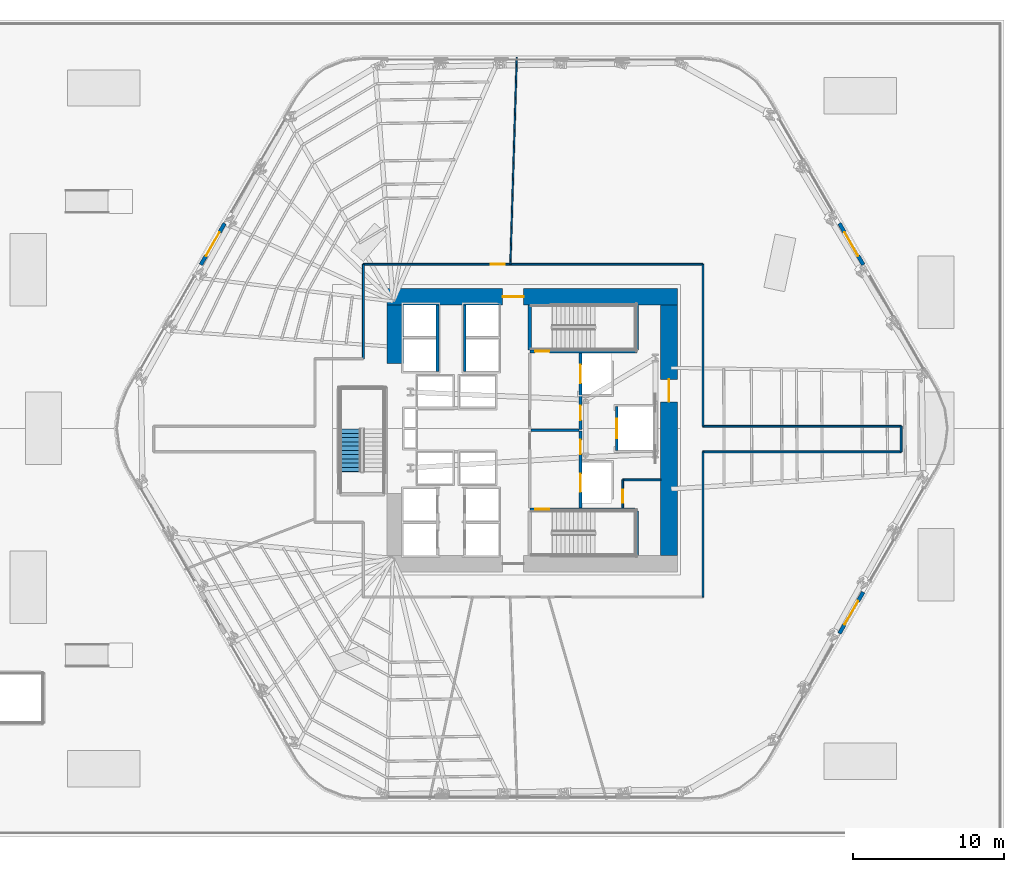
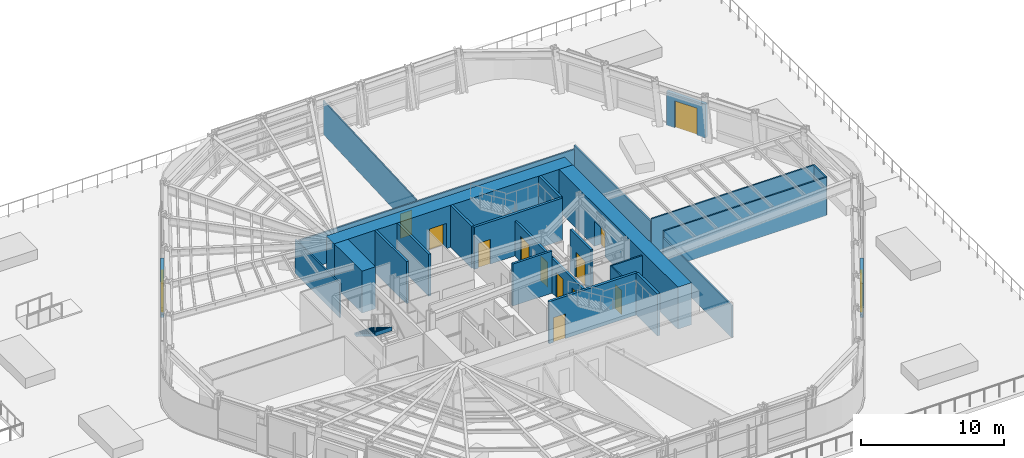
# One storey, part 9 of 18: 27 walls, 14 doors, 1 stair flight, 14 openings, 1 element without a shape of its own.
"""IFC4 building model written with IfcOpenShell, lengths in metres."""

from ifc_helpers import new_model, si_unit, direction, frame, frame_2d, origin, place, context, subcontext, project, spatial, polyline, rectangle, outline, extrude, material, layer, layer_set, type_object, element, fill, aggregate, save


model = new_model("IFC4")

# Units and contexts
model_context = context("Model", 3, precision=1e-05, world=origin(), true_north=direction((0.0, 1.0)))
body_context = subcontext(model_context, "Body", "Model", "MODEL_VIEW")
ifc_project = project(units=[si_unit("LENGTHUNIT", "METRE"), si_unit("AREAUNIT", "SQUARE_METRE"), si_unit("VOLUMEUNIT", "CUBIC_METRE"), si_unit("PLANEANGLEUNIT", "RADIAN"), si_unit("MASSUNIT", "GRAM", prefix="KILO")], contexts=[model_context])

# Site, building, storey
site_placement = place(None, origin())
site = spatial("IfcSite", under=ifc_project, at=site_placement, CompositionType="ELEMENT")
building_placement = place(site_placement, origin())
building = spatial("IfcBuilding", under=site, at=building_placement, Name="Valkerne Bourse Tower", CompositionType="ELEMENT")
storey_placement = place(building_placement, frame((0.0, 0.0, 24.0)))
storey = spatial("IfcBuildingStorey", under=building, at=storey_placement, Name="L05", CompositionType="ELEMENT", Elevation=24.0)

# Wall, opening, door
ifc_material_1 = material(Name="Concrete C70/85", Category="concrete")
ifc_layer_1 = layer(ifc_material_1, 1.10009765625)
ifc_layer_set_1 = layer_set([ifc_layer_1], Name="Concrete C70/85")
wall_type_1 = type_object("IfcWallType", Name="W-CORE-1100", PredefinedType="SHEAR", material=ifc_layer_set_1)
wall_1_placement = place(storey_placement, frame((37.199951171875, 35.699951171875, 0.0), z_axis=(0.0, 0.0, 1.0), x_axis=(1.0, 0.0, 0.0)))
wall_1 = element("IfcWall", 1, at=wall_1_placement, inside=storey, type_object=wall_type_1, Name="L05 Core Shear Wall NORTH", PredefinedType="SHEAR", context=body_context, shape_type="SweptSolid", body=[
    extrude(rectangle(XDim=19.199951171875, YDim=1.10009765625, at=frame_2d((9.60009765625, 0.0))), origin(), (0.0, 0.0, 1.0), 3.580078125),
])
opening_1_placement = place(wall_1_placement, frame((7.64990234375, 0.0, 0.0)))
opening_1 = element("IfcOpeningElement", 2, at=opening_1_placement, cuts=wall_1, Name="Opening D-PL-1400", PredefinedType="OPENING", context=body_context, shape_type="SweptSolid", body=[
    extrude(rectangle(XDim=1.39990234375, YDim=2.14990234375, at=frame_2d((0.699951171875, 1.074951171875))), frame((0.0, 0.56005859375, 0.0), z_axis=(0.0, -1.0, 0.0), x_axis=(1.0, 0.0, 0.0)), (0.0, 0.0, 1.0), 1.1201171875),
])
ifc_material_2 = material(Name="Galvanised Painted Steel", Category="steel")
door_type_1 = type_object("IfcDoorType", Name="DR-PLT-1400", OperationType="DOUBLE_DOOR_SINGLE_SWING", PredefinedType="DOOR", material=ifc_material_2)
door_1_placement = place(opening_1_placement, origin())
door_1 = element("IfcDoor", 3, at=door_1_placement, inside=storey, type_object=door_type_1, Name="L05 North Passenger Lift Hall Fire Door", OperationType="DOUBLE_DOOR_SINGLE_SWING", OverallHeight=2.14990234375, OverallWidth=1.39990234375, PredefinedType="DOOR", context=body_context, shape_type="SweptSolid", body=[
    extrude(rectangle(XDim=1.39990234375, YDim=2.14990234375, at=frame_2d((0.699951171875, 1.074951171875))), frame((0.0, 0.02490234375, 0.0), z_axis=(0.0, -1.0, 0.0), x_axis=(1.0, 0.0, 0.0)), (0.0, 0.0, 1.0), 0.050048828125),
])
fill(opening_1, door_1)

wall_2_placement = place(storey_placement, frame((55.85009765625, 18.60009765625, 0.0), z_axis=(0.0, 0.0, 1.0), x_axis=(0.0, 1.0, 0.0)))
wall_2 = element("IfcWall", 4, at=wall_2_placement, inside=storey, type_object=wall_type_1, Name="L05 Core Shear Wall EAST", PredefinedType="SHEAR", context=body_context, shape_type="SweptSolid", body=[
    extrude(rectangle(XDim=16.5498046875, YDim=1.10009765625, at=frame_2d((8.27490234375, 0.0))), origin(), (0.0, 0.0, 1.0), 3.580078125),
])
opening_2_placement = place(wall_2_placement, frame((10.14990234375, 0.0, 0.0)))
opening_2 = element("IfcOpeningElement", 5, at=opening_2_placement, cuts=wall_2, Name="Opening D-CR-1500", PredefinedType="OPENING", context=body_context, shape_type="SweptSolid", body=[
    extrude(rectangle(XDim=1.5, YDim=2.14990234375, at=frame_2d((0.75, 1.074951171875))), frame((0.0, 0.56005859375, 0.0), z_axis=(0.0, -1.0, 0.0), x_axis=(1.0, 0.0, 0.0)), (0.0, 0.0, 1.0), 1.1201171875),
])
door_type_2 = type_object("IfcDoorType", Name="DR-CORR-1500", OperationType="DOUBLE_DOOR_SINGLE_SWING", PredefinedType="DOOR", material=ifc_material_2)
door_2_placement = place(opening_2_placement, origin())
door_2 = element("IfcDoor", 6, at=door_2_placement, inside=storey, type_object=door_type_2, Name="L05 East Core Service Lobby Fire Door", OperationType="DOUBLE_DOOR_SINGLE_SWING", OverallHeight=2.14990234375, OverallWidth=1.5, PredefinedType="DOOR", context=body_context, shape_type="SweptSolid", body=[
    extrude(rectangle(XDim=1.5, YDim=2.14990234375, at=frame_2d((0.75, 1.074951171875))), frame((0.0, 0.02490234375, 0.0), z_axis=(0.0, -1.0, 0.0), x_axis=(1.0, 0.0, 0.0)), (0.0, 0.0, 1.0), 0.050048828125),
])
fill(opening_2, door_2)

# Wall
wall_3_placement = place(storey_placement, frame((37.75, 31.300048828125, 0.0), z_axis=(0.0, 0.0, 1.0), x_axis=(0.0, 1.0, 0.0)))
element("IfcWall", 7, at=wall_3_placement, inside=storey, type_object=wall_type_1, Name="L05 Core Shear Wall WEST-N", PredefinedType="SHEAR", context=body_context, shape_type="SweptSolid", body=[
    extrude(rectangle(XDim=3.849853515625, YDim=1.10009765625, at=frame_2d((1.9248046875, 0.0))), origin(), (0.0, 0.0, 1.0), 3.580078125),
])

# Wall, opening, door
ifc_material_3 = material(Name="Gypsum Board Steel-Stud Partition", Category="steel")
ifc_layer_2 = layer(ifc_material_3, 0.117919921875)
ifc_layer_set_2 = layer_set([ifc_layer_2], Name="Gypsum Board Steel-Stud Partition")
wall_type_2 = type_object("IfcWallType", Name="W-CORR-140", PredefinedType="PARTITIONING", material=ifc_layer_set_2)
wall_4_placement = place(storey_placement, frame((52.800048828125, 21.75, 0.0), z_axis=(0.0, 0.0, 1.0), x_axis=(0.0, 1.0, 0.0)))
wall_4 = element("IfcWall", 8, at=wall_4_placement, inside=storey, type_object=wall_type_2, Name="L05 Core SE South-Bay West Wall", PredefinedType="PARTITIONING", context=body_context, shape_type="SweptSolid", body=[
    extrude(rectangle(XDim=1.85009765625, YDim=0.117919921875, at=frame_2d((0.925048828125, 0.0))), origin(), (0.0, 0.0, 1.0), 3.280029296875),
])
opening_3_placement = place(wall_4_placement, frame((0.35009765625, 0.0, 0.0)))
opening_3 = element("IfcOpeningElement", 9, at=opening_3_placement, cuts=wall_4, Name="Opening D-WC-900", PredefinedType="OPENING", context=body_context, shape_type="SweptSolid", body=[
    extrude(rectangle(XDim=0.860107421875, YDim=2.050048828125, at=frame_2d((0.43017578125, 1.02490234375))), frame((0.0, 0.06884765625, 0.0), z_axis=(0.0, -1.0, 0.0), x_axis=(1.0, 0.0, 0.0)), (0.0, 0.0, 1.0), 0.137939453125),
])
ifc_material_4 = material(Name="Architectural White Oak Timber", Category="wood")
door_type_3 = type_object("IfcDoorType", Name="DR-WC-900", OperationType="NOTDEFINED", PredefinedType="DOOR", material=ifc_material_4)
door_3_placement = place(opening_3_placement, origin())
door_3 = element("IfcDoor", 10, at=door_3_placement, inside=storey, type_object=door_type_3, Name="L05 Janitor Store Door", OperationType="SINGLE_SWING_RIGHT", OverallHeight=2.050048828125, OverallWidth=0.860107421875, PredefinedType="DOOR", context=body_context, shape_type="SweptSolid", body=[
    extrude(rectangle(XDim=0.860107421875, YDim=2.050048828125, at=frame_2d((0.43017578125, 1.02490234375))), frame((0.0, 0.02490234375, 0.0), z_axis=(0.0, -1.0, 0.0), x_axis=(1.0, 0.0, 0.0)), (0.0, 0.0, 1.0), 0.050048828125),
])
fill(opening_3, door_3)

# Walls
wall_5_placement = place(storey_placement, frame((52.800048828125, 23.60009765625, 0.0), z_axis=(0.0, 0.0, 1.0), x_axis=(1.0, 0.0, 0.0)))
element("IfcWall", 11, at=wall_5_placement, inside=storey, type_object=wall_type_2, Name="L05 Core SE South-Bay North Wall", PredefinedType="PARTITIONING", context=body_context, shape_type="SweptSolid", body=[
    extrude(rectangle(XDim=2.52001953125, YDim=0.117919921875, at=frame_2d((1.260009765625, 0.0))), origin(), (0.0, 0.0, 1.0), 3.280029296875),
])
wall_6_placement = place(storey_placement, frame((58.10009765625, 27.14990234375, 0.0), z_axis=(0.0, 0.0, 1.0), x_axis=(1.0, 0.0, 0.0)))
element("IfcWall", 12, at=wall_6_placement, inside=storey, type_object=wall_type_2, Name="L05 Corridor Enclosure Wall", PredefinedType="PARTITIONING", context=body_context, shape_type="SweptSolid", body=[
    extrude(rectangle(XDim=13.099853515625, YDim=0.117919921875, at=frame_2d((6.5498046875, 0.0))), origin(), (0.0, 0.0, 1.0), 3.260009765625),
])
wall_7_placement = place(storey_placement, frame((71.199951171875, 27.14990234375, 0.0), z_axis=(0.0, 0.0, 1.0), x_axis=(0.0, -1.0, 0.0)))
element("IfcWall", 13, at=wall_7_placement, inside=storey, type_object=wall_type_2, Name="L05 Corridor Enclosure Wall", PredefinedType="PARTITIONING", context=body_context, shape_type="SweptSolid", body=[
    extrude(rectangle(XDim=1.699951171875, YDim=0.117919921875, at=frame_2d((0.85009765625, 0.0))), origin(), (0.0, 0.0, 1.0), 3.260009765625),
])
wall_8_placement = place(storey_placement, frame((71.199951171875, 25.449951171875, 0.0), z_axis=(0.0, 0.0, 1.0), x_axis=(-1.0, 0.0, 0.0)))
element("IfcWall", 14, at=wall_8_placement, inside=storey, type_object=wall_type_2, Name="L05 Corridor Enclosure Wall", PredefinedType="PARTITIONING", context=body_context, shape_type="SweptSolid", body=[
    extrude(rectangle(XDim=13.099853515625, YDim=0.117919921875, at=frame_2d((6.5498046875, 0.0))), origin(), (0.0, 0.0, 1.0), 3.260009765625),
])
wall_9_placement = place(storey_placement, frame((58.10009765625, 25.449951171875, 0.0), z_axis=(0.0, 0.0, 1.0), x_axis=(0.0, -1.0, 0.0)))
element("IfcWall", 15, at=wall_9_placement, inside=storey, type_object=wall_type_2, Name="L05 Corridor Enclosure Wall", PredefinedType="PARTITIONING", context=body_context, shape_type="SweptSolid", body=[
    extrude(rectangle(XDim=9.599853515625, YDim=0.117919921875, at=frame_2d((4.7998046875, 0.0))), origin(), (0.0, 0.0, 1.0), 2.71142578125),
])
wall_10_placement = place(storey_placement, frame((35.64990234375, 31.60009765625, 0.0), z_axis=(0.0, 0.0, 1.0), x_axis=(0.0, 1.0, 0.0)))
element("IfcWall", 16, at=wall_10_placement, inside=storey, type_object=wall_type_2, Name="L05 Corridor Enclosure Wall", PredefinedType="PARTITIONING", context=body_context, shape_type="SweptSolid", body=[
    extrude(rectangle(XDim=6.25, YDim=0.117919921875, at=frame_2d((3.125, 0.0))), origin(), (0.0, 0.0, 1.0), 2.876708984375),
])

# Wall, opening, door
wall_11_placement = place(storey_placement, frame((35.64990234375, 37.85009765625, 0.0), z_axis=(0.0, 0.0, 1.0), x_axis=(1.0, 0.0, 0.0)))
wall_11 = element("IfcWall", 17, at=wall_11_placement, inside=storey, type_object=wall_type_2, Name="L05 Corridor Enclosure Wall", PredefinedType="PARTITIONING", context=body_context, shape_type="SweptSolid", body=[
    extrude(rectangle(XDim=22.4501953125, YDim=0.117919921875, at=frame_2d((11.22509765625, 0.0))), origin(), (0.0, 0.0, 1.0), 2.71142578125),
])
opening_4_placement = place(wall_11_placement, frame((8.409912109375, 0.0, 0.0)))
opening_4 = element("IfcOpeningElement", 18, at=opening_4_placement, cuts=wall_11, Name="Opening D-OF-950", PredefinedType="OPENING", context=body_context, shape_type="SweptSolid", body=[
    extrude(rectangle(XDim=0.949951171875, YDim=2.10009765625, at=frame_2d((0.47509765625, 1.050048828125))), frame((0.0, 0.06884765625, 0.0), z_axis=(0.0, -1.0, 0.0), x_axis=(1.0, 0.0, 0.0)), (0.0, 0.0, 1.0), 0.137939453125),
])
door_type_4 = type_object("IfcDoorType", Name="DR-OFF-950", OperationType="NOTDEFINED", PredefinedType="DOOR", material=ifc_material_4)
door_4_placement = place(opening_4_placement, origin())
door_4 = element("IfcDoor", 19, at=door_4_placement, inside=storey, type_object=door_type_4, Name="L05 L05 Trading Desk Office 4 Door", OperationType="SINGLE_SWING_RIGHT", OverallHeight=2.10009765625, OverallWidth=0.949951171875, PredefinedType="DOOR", context=body_context, shape_type="SweptSolid", body=[
    extrude(rectangle(XDim=0.949951171875, YDim=2.10009765625, at=frame_2d((0.47509765625, 1.050048828125))), frame((0.0, 0.02490234375, 0.0), z_axis=(0.0, -1.0, 0.0), x_axis=(1.0, 0.0, 0.0)), (0.0, 0.0, 1.0), 0.050048828125),
])
fill(opening_4, door_4)

# Wall
wall_12_placement = place(storey_placement, frame((58.10009765625, 37.85009765625, 0.0), z_axis=(0.0, 0.0, 1.0), x_axis=(0.0, -1.0, 0.0)))
element("IfcWall", 20, at=wall_12_placement, inside=storey, type_object=wall_type_2, Name="L05 Corridor Enclosure Wall", PredefinedType="PARTITIONING", context=body_context, shape_type="SweptSolid", body=[
    extrude(rectangle(XDim=10.7001953125, YDim=0.117919921875, at=frame_2d((5.35009765625, 0.0))), origin(), (0.0, 0.0, 1.0), 3.03662109375),
])

# Wall, opening, door
ifc_material_5 = material(Name="Bronze Anodised Aluminium AA 6063-T6", Category="aluminium")
ifc_layer_3 = layer(ifc_material_5, 0.25)
ifc_layer_set_3 = layer_set([ifc_layer_3], Name="Bronze Anodised Aluminium AA 6063-T6")
wall_type_3 = type_object("IfcWallType", Name="W-EXT-TER-250", PredefinedType="STANDARD", material=ifc_layer_set_3)
wall_13_placement = place(storey_placement, frame((68.69580078125, 37.819580078125, 0.0), z_axis=(0.0, 0.0, 1.0), x_axis=(-0.499974687925, 0.866040017224, 0.0)))
wall_13 = element("IfcWall", 21, at=wall_13_placement, inside=storey, type_object=wall_type_3, Name="L05 Garden Pavilion Access Portal Face 1", PredefinedType="STANDARD", context=body_context, shape_type="SweptSolid", body=[
    extrude(rectangle(XDim=3.156005859375, YDim=0.25, at=frame_2d((1.578125, 0.0))), origin(), (0.0, 0.0, 1.0), 2.867919921875),
])
opening_5_placement = place(wall_13_placement, frame((0.677978515625, 0.0, 0.0)))
opening_5 = element("IfcOpeningElement", 22, at=opening_5_placement, cuts=wall_13, Name="Opening DG-1800", PredefinedType="OPENING", context=body_context, shape_type="SweptSolid", body=[
    extrude(rectangle(XDim=1.800048828125, YDim=2.300048828125, at=frame_2d((0.89990234375, 1.14990234375))), frame((0.0, 0.135009765625, 0.0), z_axis=(0.0, -1.0, 0.0), x_axis=(1.0, 0.0, 0.0)), (0.0, 0.0, 1.0), 0.27001953125),
])
ifc_material_6 = material(Name="Glass IGU Low-E Double Glazed", Category="glass")
door_type_5 = type_object("IfcDoorType", Name="DR-EXT-GDN-1800", OperationType="DOUBLE_DOOR_SINGLE_SWING", PredefinedType="DOOR", material=ifc_material_6)
door_5_placement = place(opening_5_placement, origin())
door_5 = element("IfcDoor", 23, at=door_5_placement, inside=storey, type_object=door_type_5, Name="L05 Raised Public Garden Double Door 1", OperationType="DOUBLE_DOOR_SINGLE_SWING", OverallHeight=2.300048828125, OverallWidth=1.800048828125, PredefinedType="DOOR", context=body_context, shape_type="SweptSolid", body=[
    extrude(rectangle(XDim=1.800048828125, YDim=2.300048828125, at=frame_2d((0.89990234375, 1.14990234375))), frame((0.0, 0.02490234375, 0.0), z_axis=(0.0, -1.0, 0.0), x_axis=(1.0, 0.0, 0.0)), (0.0, 0.0, 1.0), 0.050048828125),
])
fill(opening_5, door_5)

wall_14_placement = place(storey_placement, frame((26.482177734375, 40.552734375, 0.0), z_axis=(0.0, 0.0, 1.0), x_axis=(-0.50003270617, -0.866006520045, 0.0)))
wall_14 = element("IfcWall", 24, at=wall_14_placement, inside=storey, type_object=wall_type_3, Name="L05 Garden Pavilion Access Portal Face 3", PredefinedType="STANDARD", context=body_context, shape_type="SweptSolid", body=[
    extrude(rectangle(XDim=3.156005859375, YDim=0.25, at=frame_2d((1.578125, 0.0))), origin(), (0.0, 0.0, 1.0), 2.867919921875),
])
opening_6_placement = place(wall_14_placement, frame((0.677978515625, 0.0, 0.0)))
opening_6 = element("IfcOpeningElement", 25, at=opening_6_placement, cuts=wall_14, Name="Opening DG-1800", PredefinedType="OPENING", context=body_context, shape_type="SweptSolid", body=[
    extrude(rectangle(XDim=1.800048828125, YDim=2.300048828125, at=frame_2d((0.89990234375, 1.14990234375))), frame((0.0, 0.135009765625, 0.0), z_axis=(0.0, -1.0, 0.0), x_axis=(1.0, 0.0, 0.0)), (0.0, 0.0, 1.0), 0.27001953125),
])
door_6_placement = place(opening_6_placement, origin())
door_6 = element("IfcDoor", 26, at=door_6_placement, inside=storey, type_object=door_type_5, Name="L05 Raised Public Garden Double Door 3", OperationType="DOUBLE_DOOR_SINGLE_SWING", OverallHeight=2.300048828125, OverallWidth=1.800048828125, PredefinedType="DOOR", context=body_context, shape_type="SweptSolid", body=[
    extrude(rectangle(XDim=1.800048828125, YDim=2.300048828125, at=frame_2d((0.89990234375, 1.14990234375))), frame((0.0, 0.02490234375, 0.0), z_axis=(0.0, -1.0, 0.0), x_axis=(1.0, 0.0, 0.0)), (0.0, 0.0, 1.0), 0.050048828125),
])
fill(opening_6, door_6)

wall_15_placement = place(storey_placement, frame((67.117919921875, 13.447265625, 0.0), z_axis=(0.0, 0.0, 1.0), x_axis=(0.499974687925, 0.866040017224, 0.0)))
wall_15 = element("IfcWall", 27, at=wall_15_placement, inside=storey, type_object=wall_type_3, Name="L05 Garden Pavilion Access Portal Face 6", PredefinedType="STANDARD", context=body_context, shape_type="SweptSolid", body=[
    extrude(rectangle(XDim=3.156005859375, YDim=0.25, at=frame_2d((1.578125, 0.0))), origin(), (0.0, 0.0, 1.0), 2.867919921875),
])
opening_7_placement = place(wall_15_placement, frame((0.677978515625, 0.0, 0.0)))
opening_7 = element("IfcOpeningElement", 28, at=opening_7_placement, cuts=wall_15, Name="Opening DG-1800", PredefinedType="OPENING", context=body_context, shape_type="SweptSolid", body=[
    extrude(rectangle(XDim=1.800048828125, YDim=2.300048828125, at=frame_2d((0.89990234375, 1.14990234375))), frame((0.0, 0.135009765625, 0.0), z_axis=(0.0, -1.0, 0.0), x_axis=(1.0, 0.0, 0.0)), (0.0, 0.0, 1.0), 0.27001953125),
])
door_7_placement = place(opening_7_placement, origin())
door_7 = element("IfcDoor", 29, at=door_7_placement, inside=storey, type_object=door_type_5, Name="L05 Raised Public Garden Double Door 6", OperationType="DOUBLE_DOOR_SINGLE_SWING", OverallHeight=2.300048828125, OverallWidth=1.800048828125, PredefinedType="DOOR", context=body_context, shape_type="SweptSolid", body=[
    extrude(rectangle(XDim=1.800048828125, YDim=2.300048828125, at=frame_2d((0.89990234375, 1.14990234375))), frame((0.0, 0.02490234375, 0.0), z_axis=(0.0, -1.0, 0.0), x_axis=(1.0, 0.0, 0.0)), (0.0, 0.0, 1.0), 0.050048828125),
])
fill(opening_7, door_7)

# Wall
ifc_material_7 = material(Name="Gypsum Fire-Rated Shaftwall", Category="gypsum")
ifc_layer_4 = layer(ifc_material_7, 0.179931640625)
ifc_layer_set_4 = layer_set([ifc_layer_4], Name="Gypsum Fire-Rated Shaftwall")
wall_type_4 = type_object("IfcWallType", Name="W-FSAE-180", PredefinedType="PARTITIONING", material=ifc_layer_set_4)
wall_16_placement = place(storey_placement, frame((46.739990234375, 26.8798828125, 0.0), z_axis=(0.0, 0.0, 1.0), x_axis=(1.0, 0.0, 0.0)))
element("IfcWall", 30, at=wall_16_placement, inside=storey, type_object=wall_type_4, Name="L05 FSAE-1/2 Lobby Dividing Fire Wall", PredefinedType="PARTITIONING", context=body_context, shape_type="SweptSolid", body=[
    extrude(rectangle(XDim=3.169921875, YDim=0.179931640625, at=frame_2d((1.5849609375, 0.0))), origin(), (0.0, 0.0, 1.0), 3.580078125),
])

# Wall, openings, doors
wall_17_placement = place(storey_placement, frame((50.0, 21.75, 0.0), z_axis=(0.0, 0.0, 1.0), x_axis=(0.0, 1.0, 0.0)))
wall_17 = element("IfcWall", 31, at=wall_17_placement, inside=storey, type_object=wall_type_4, Name="L05 FSAE-1 Lobby & Shaft Front Wall", PredefinedType="PARTITIONING", context=body_context, shape_type="SweptSolid", body=[
    extrude(rectangle(XDim=5.090087890625, YDim=0.179931640625, at=frame_2d((2.544921875, 0.0))), origin(), (0.0, 0.0, 1.0), 2.9580078125),
])
opening_8_placement = place(wall_17_placement, frame((1.050048828125, 0.0, 0.0)))
opening_8 = element("IfcOpeningElement", 32, at=opening_8_placement, cuts=wall_17, Name="Opening LD-1200", PredefinedType="OPENING", context=body_context, shape_type="SweptSolid", body=[
    extrude(rectangle(XDim=1.199951171875, YDim=2.14990234375, at=frame_2d((0.60009765625, 1.074951171875))), frame((0.0, 0.099853515625, 0.0), z_axis=(0.0, -1.0, 0.0), x_axis=(1.0, 0.0, 0.0)), (0.0, 0.0, 1.0), 0.199951171875),
])
opening_9_placement = place(wall_17_placement, frame((3.550048828125, 0.0, 0.0)))
opening_9 = element("IfcOpeningElement", 33, at=opening_9_placement, cuts=wall_17, Name="Opening D-FS-950", PredefinedType="OPENING", context=body_context, shape_type="SweptSolid", body=[
    extrude(rectangle(XDim=0.949951171875, YDim=2.10009765625, at=frame_2d((0.47509765625, 1.050048828125))), frame((0.0, 0.099853515625, 0.0), z_axis=(0.0, -1.0, 0.0), x_axis=(1.0, 0.0, 0.0)), (0.0, 0.0, 1.0), 0.199951171875),
])
door_type_6 = type_object("IfcDoorType", Name="DR-FSAE-950", OperationType="NOTDEFINED", PredefinedType="DOOR", material=ifc_material_2)
door_8_placement = place(opening_9_placement, origin())
door_8 = element("IfcDoor", 34, at=door_8_placement, inside=storey, type_object=door_type_6, Name="L05 FSAE-1 Lobby Corridor Fire Door", OperationType="SINGLE_SWING_LEFT", OverallHeight=2.10009765625, OverallWidth=0.949951171875, PredefinedType="DOOR", context=body_context, shape_type="SweptSolid", body=[
    extrude(rectangle(XDim=0.949951171875, YDim=2.10009765625, at=frame_2d((0.47509765625, 1.050048828125))), frame((0.0, 0.02490234375, 0.0), z_axis=(0.0, -1.0, 0.0), x_axis=(1.0, 0.0, 0.0)), (0.0, 0.0, 1.0), 0.050048828125),
])
fill(opening_9, door_8)
ifc_material_8 = material(Name="Stainless Steel AISI 316", Category="steel")
door_type_7 = type_object("IfcDoorType", Name="DR-LIFT-1200", OperationType="DOUBLE_DOOR_SLIDING", PredefinedType="DOOR", material=ifc_material_8)
door_9_placement = place(opening_8_placement, origin())
door_9 = element("IfcDoor", 35, at=door_9_placement, inside=storey, type_object=door_type_7, Name="L05 FSAE-1 Firefighting Lift Landing Door", OperationType="DOUBLE_DOOR_SLIDING", OverallHeight=2.14990234375, OverallWidth=1.199951171875, PredefinedType="DOOR", context=body_context, shape_type="SweptSolid", body=[
    extrude(rectangle(XDim=1.199951171875, YDim=2.14990234375, at=frame_2d((0.60009765625, 1.074951171875))), frame((0.0, 0.02490234375, 0.0), z_axis=(0.0, -1.0, 0.0), x_axis=(1.0, 0.0, 0.0)), (0.0, 0.0, 1.0), 0.050048828125),
])
fill(opening_8, door_9)

wall_18_placement = place(storey_placement, frame((50.0, 26.919921875, 0.0), z_axis=(0.0, 0.0, 1.0), x_axis=(0.0, 1.0, 0.0)))
wall_18 = element("IfcWall", 36, at=wall_18_placement, inside=storey, type_object=wall_type_4, Name="L05 FSAE-2 Lobby & Shaft Front Wall", PredefinedType="PARTITIONING", context=body_context, shape_type="SweptSolid", body=[
    extrude(rectangle(XDim=5.080078125, YDim=0.179931640625, at=frame_2d((2.5400390625, 0.0))), origin(), (0.0, 0.0, 1.0), 2.9580078125),
])
opening_10_placement = place(wall_18_placement, frame((3.080078125, 0.0, 0.0)))
opening_10 = element("IfcOpeningElement", 37, at=opening_10_placement, cuts=wall_18, Name="Opening LD-1200", PredefinedType="OPENING", context=body_context, shape_type="SweptSolid", body=[
    extrude(rectangle(XDim=1.199951171875, YDim=2.14990234375, at=frame_2d((0.60009765625, 1.074951171875))), frame((0.0, 0.099853515625, 0.0), z_axis=(0.0, -1.0, 0.0), x_axis=(1.0, 0.0, 0.0)), (0.0, 0.0, 1.0), 0.199951171875),
])
opening_11_placement = place(wall_18_placement, frame((0.6298828125, 0.0, 0.0)))
opening_11 = element("IfcOpeningElement", 38, at=opening_11_placement, cuts=wall_18, Name="Opening D-FS-950", PredefinedType="OPENING", context=body_context, shape_type="SweptSolid", body=[
    extrude(rectangle(XDim=0.949951171875, YDim=2.10009765625, at=frame_2d((0.47509765625, 1.050048828125))), frame((0.0, 0.099853515625, 0.0), z_axis=(0.0, -1.0, 0.0), x_axis=(1.0, 0.0, 0.0)), (0.0, 0.0, 1.0), 0.199951171875),
])
door_10_placement = place(opening_11_placement, origin())
door_10 = element("IfcDoor", 39, at=door_10_placement, inside=storey, type_object=door_type_6, Name="L05 FSAE-2 Lobby Corridor Fire Door", OperationType="SINGLE_SWING_LEFT", OverallHeight=2.10009765625, OverallWidth=0.949951171875, PredefinedType="DOOR", context=body_context, shape_type="SweptSolid", body=[
    extrude(rectangle(XDim=0.949951171875, YDim=2.10009765625, at=frame_2d((0.47509765625, 1.050048828125))), frame((0.0, 0.02490234375, 0.0), z_axis=(0.0, -1.0, 0.0), x_axis=(1.0, 0.0, 0.0)), (0.0, 0.0, 1.0), 0.050048828125),
])
fill(opening_11, door_10)
door_11_placement = place(opening_10_placement, origin())
door_11 = element("IfcDoor", 40, at=door_11_placement, inside=storey, type_object=door_type_7, Name="L05 FSAE-2 Firefighting Lift Landing Door", OperationType="DOUBLE_DOOR_SLIDING", OverallHeight=2.14990234375, OverallWidth=1.199951171875, PredefinedType="DOOR", context=body_context, shape_type="SweptSolid", body=[
    extrude(rectangle(XDim=1.199951171875, YDim=2.14990234375, at=frame_2d((0.60009765625, 1.074951171875))), frame((0.0, 0.02490234375, 0.0), z_axis=(0.0, -1.0, 0.0), x_axis=(1.0, 0.0, 0.0)), (0.0, 0.0, 1.0), 0.050048828125),
])
fill(opening_10, door_11)

# Wall, opening, door
ifc_material_9 = material(Name="CMU Blockwork Masonry 200mm", Category="masonry")
ifc_layer_5 = layer(ifc_material_9, 0.179931640625)
ifc_layer_set_5 = layer_set([ifc_layer_5], Name="CMU Blockwork Masonry 200mm")
wall_type_5 = type_object("IfcWallType", Name="W-LFT-180", PredefinedType="SOLIDWALL", material=ifc_layer_set_5)
wall_19_placement = place(storey_placement, frame((52.39990234375, 25.550048828125, 0.0), z_axis=(0.0, 0.0, 1.0), x_axis=(0.0, 1.0, 0.0)))
wall_19 = element("IfcWall", 41, at=wall_19_placement, inside=storey, type_object=wall_type_5, Name="L05 Service Lift SV-1 Front Wall", PredefinedType="SOLIDWALL", context=body_context, shape_type="SweptSolid", body=[
    extrude(rectangle(XDim=2.89990234375, YDim=0.179931640625, at=frame_2d((1.449951171875, 0.0))), origin(), (0.0, 0.0, 1.0), 3.580078125),
])
opening_12_placement = place(wall_19_placement, frame((0.800048828125, 0.0, 0.0)))
opening_12 = element("IfcOpeningElement", 42, at=opening_12_placement, cuts=wall_19, Name="Opening LD-1300", PredefinedType="OPENING", context=body_context, shape_type="SweptSolid", body=[
    extrude(rectangle(XDim=1.300048828125, YDim=2.14990234375, at=frame_2d((0.64990234375, 1.074951171875))), frame((0.0, 0.099853515625, 0.0), z_axis=(0.0, -1.0, 0.0), x_axis=(1.0, 0.0, 0.0)), (0.0, 0.0, 1.0), 0.199951171875),
])
door_type_8 = type_object("IfcDoorType", Name="DR-LIFT-1300", OperationType="DOUBLE_DOOR_SLIDING", PredefinedType="DOOR", material=ifc_material_8)
door_12_placement = place(opening_12_placement, origin())
door_12 = element("IfcDoor", 43, at=door_12_placement, inside=storey, type_object=door_type_8, Name="L05 Service Lift SV-1 Landing Door", OperationType="DOUBLE_DOOR_SLIDING", OverallHeight=2.14990234375, OverallWidth=1.300048828125, PredefinedType="DOOR", context=body_context, shape_type="SweptSolid", body=[
    extrude(rectangle(XDim=1.300048828125, YDim=2.14990234375, at=frame_2d((0.64990234375, 1.074951171875))), frame((0.0, 0.02490234375, 0.0), z_axis=(0.0, -1.0, 0.0), x_axis=(1.0, 0.0, 0.0)), (0.0, 0.0, 1.0), 0.050048828125),
])
fill(opening_12, door_12)

# Walls
for number, where, z_axis, x_axis, name in (
    (44, (40.550048828125, 30.75, 0.0), (0.0, 0.0, 1.0), (0.0, 1.0, 0.0), "L05 Mid-Zone West Cars Front Wall"),
    (45, (42.35009765625, 30.75, 0.0), (0.0, 0.0, 1.0), (0.0, 1.0, 0.0), "L05 Mid-Zone East Cars Front Wall"),
):
    element("IfcWall", number, at=place(storey_placement, frame(where, z_axis=z_axis, x_axis=x_axis)), inside=storey, type_object=wall_type_5, Name=name, PredefinedType="SOLIDWALL", context=body_context, shape_type="SweptSolid", body=[
        extrude(rectangle(XDim=4.39990234375, YDim=0.179931640625, at=frame_2d((2.199951171875, 0.0))), origin(), (0.0, 0.0, 1.0), 3.580078125),
    ])
ifc_layer_6 = layer(ifc_material_3, 0.092041015625)
ifc_layer_set_6 = layer_set([ifc_layer_6], Name="Gypsum Board Steel-Stud Partition")
wall_type_6 = type_object("IfcWallType", Name="W-PART-115", PredefinedType="PARTITIONING", material=ifc_layer_set_6)
wall_20_placement = place(storey_placement, frame((45.36865234375, 37.85498046875, 0.0), z_axis=(0.0, 0.0, 1.0), x_axis=(0.0308106471, 0.999525239314, 0.0)))
element("IfcWall", 46, at=wall_20_placement, inside=storey, type_object=wall_type_6, Name="L05 Suite Partition P04", PredefinedType="PARTITIONING", context=body_context, shape_type="SweptSolid", body=[
    extrude(rectangle(XDim=13.6767578125, YDim=0.092041015625, at=frame_2d((6.83837890625, 0.0))), origin(), (0.0, 0.0, 1.0), 2.86376953125),
])

# Wall, opening, door
ifc_material_10 = material(Name="Concrete C40/50", Category="concrete")
ifc_layer_7 = layer(ifc_material_10, 0.199951171875)
ifc_layer_set_7 = layer_set([ifc_layer_7], Name="Concrete C40/50")
wall_type_7 = type_object("IfcWallType", Name="W-SHF-200", PredefinedType="SHEAR", material=ifc_layer_set_7)
wall_21_placement = place(storey_placement, frame((46.64990234375, 21.64990234375, 0.0), z_axis=(0.0, 0.0, 1.0), x_axis=(1.0, 0.0, 0.0)))
wall_21 = element("IfcWall", 47, at=wall_21_placement, inside=storey, type_object=wall_type_7, Name="L05 Exit Stair ST-1 Structural Shaft Wall North", PredefinedType="SHEAR", context=body_context, shape_type="SweptSolid", body=[
    extrude(rectangle(XDim=7.10009765625, YDim=0.199951171875, at=frame_2d((3.550048828125, 0.0))), origin(), (0.0, 0.0, 1.0), 3.580078125),
])
opening_13_placement = place(wall_21_placement, frame((0.35009765625, 0.0, 0.0)))
opening_13 = element("IfcOpeningElement", 48, at=opening_13_placement, cuts=wall_21, Name="Opening D-ST-950", PredefinedType="OPENING", context=body_context, shape_type="SweptSolid", body=[
    extrude(rectangle(XDim=0.949951171875, YDim=2.10009765625, at=frame_2d((0.47509765625, 1.050048828125))), frame((0.0, 0.10986328125, 0.0), z_axis=(0.0, -1.0, 0.0), x_axis=(1.0, 0.0, 0.0)), (0.0, 0.0, 1.0), 0.219970703125),
])
door_type_9 = type_object("IfcDoorType", Name="DR-STAIR-950", OperationType="NOTDEFINED", PredefinedType="DOOR", material=ifc_material_2)
door_13_placement = place(opening_13_placement, origin())
door_13 = element("IfcDoor", 49, at=door_13_placement, inside=storey, type_object=door_type_9, Name="L05 Exit Stair ST-1 Door", OperationType="SINGLE_SWING_RIGHT", OverallHeight=2.10009765625, OverallWidth=0.949951171875, PredefinedType="DOOR", context=body_context, shape_type="SweptSolid", body=[
    extrude(rectangle(XDim=0.949951171875, YDim=2.10009765625, at=frame_2d((0.47509765625, 1.050048828125))), frame((0.0, 0.02490234375, 0.0), z_axis=(0.0, -1.0, 0.0), x_axis=(1.0, 0.0, 0.0)), (0.0, 0.0, 1.0), 0.050048828125),
])
fill(opening_13, door_13)

# Wall
wall_22_placement = place(storey_placement, frame((53.75, 18.60009765625, 0.0), z_axis=(0.0, 0.0, 1.0), x_axis=(0.0, 1.0, 0.0)))
element("IfcWall", 50, at=wall_22_placement, inside=storey, type_object=wall_type_7, Name="L05 Exit Stair ST-1 Structural Shaft Wall East", PredefinedType="SHEAR", context=body_context, shape_type="SweptSolid", body=[
    extrude(rectangle(XDim=2.949951171875, YDim=0.199951171875, at=frame_2d((1.47509765625, 0.0))), origin(), (0.0, 0.0, 1.0), 3.580078125),
])

# Wall, opening, door
wall_23_placement = place(storey_placement, frame((46.64990234375, 32.10009765625, 0.0), z_axis=(0.0, 0.0, 1.0), x_axis=(1.0, 0.0, 0.0)))
wall_23 = element("IfcWall", 51, at=wall_23_placement, inside=storey, type_object=wall_type_7, Name="L05 Exit Stair ST-2 Structural Shaft Wall South", PredefinedType="SHEAR", context=body_context, shape_type="SweptSolid", body=[
    extrude(rectangle(XDim=7.10009765625, YDim=0.199951171875, at=frame_2d((3.550048828125, 0.0))), origin(), (0.0, 0.0, 1.0), 3.580078125),
])
opening_14_placement = place(wall_23_placement, frame((0.35009765625, 0.0, 0.0)))
opening_14 = element("IfcOpeningElement", 52, at=opening_14_placement, cuts=wall_23, Name="Opening D-ST-950", PredefinedType="OPENING", context=body_context, shape_type="SweptSolid", body=[
    extrude(rectangle(XDim=0.949951171875, YDim=2.10009765625, at=frame_2d((0.47509765625, 1.050048828125))), frame((0.0, 0.10986328125, 0.0), z_axis=(0.0, -1.0, 0.0), x_axis=(1.0, 0.0, 0.0)), (0.0, 0.0, 1.0), 0.219970703125),
])
door_14_placement = place(opening_14_placement, origin())
door_14 = element("IfcDoor", 53, at=door_14_placement, inside=storey, type_object=door_type_9, Name="L05 Exit Stair ST-2 Door", OperationType="SINGLE_SWING_LEFT", OverallHeight=2.10009765625, OverallWidth=0.949951171875, PredefinedType="DOOR", context=body_context, shape_type="SweptSolid", body=[
    extrude(rectangle(XDim=0.949951171875, YDim=2.10009765625, at=frame_2d((0.47509765625, 1.050048828125))), frame((0.0, 0.02490234375, 0.0), z_axis=(0.0, -1.0, 0.0), x_axis=(1.0, 0.0, 0.0)), (0.0, 0.0, 1.0), 0.050048828125),
])
fill(opening_14, door_14)

# Walls
for number, where, z_axis, x_axis, name in (
    (54, (46.64990234375, 32.199951171875, 0.0), (0.0, 0.0, 1.0), (0.0, 1.0, 0.0), "L05 Exit Stair ST-2 Structural Shaft Wall West"),
    (55, (53.75, 32.199951171875, 0.0), (0.0, 0.0, 1.0), (0.0, 1.0, 0.0), "L05 Exit Stair ST-2 Structural Shaft Wall East"),
):
    element("IfcWall", number, at=place(storey_placement, frame(where, z_axis=z_axis, x_axis=x_axis)), inside=storey, type_object=wall_type_7, Name=name, PredefinedType="SHEAR", context=body_context, shape_type="SweptSolid", body=[
        extrude(rectangle(XDim=2.949951171875, YDim=0.199951171875, at=frame_2d((1.47509765625, 0.0))), origin(), (0.0, 0.0, 1.0), 3.580078125),
    ])

# Stair, stair flight
stair_type = type_object("IfcStairType", Name="ST-CORE-1400", PredefinedType="HALF_TURN_STAIR", material=ifc_material_10)
stair_placement = place(storey_placement, origin())
stair = element("IfcStair", 56, at=stair_placement, inside=storey, type_object=stair_type, Name="L05 ST-3", PredefinedType="HALF_TURN_STAIR")
stair_flight_type = type_object("IfcStairFlightType", Name="STF-CORE-1400", PredefinedType="STRAIGHT", material=ifc_material_10)
stair_flight_placement = place(storey_placement, frame((34.800048828125, 26.949951171875, 1.89990234375), z_axis=(0.0, 0.0, 1.0), x_axis=(0.0, -1.0, 0.0)))
stair_flight = element("IfcStairFlight", 57, at=stair_flight_placement, type_object=stair_flight_type, Name="ST-3 flight 2", NumberOfRisers=11, NumberOfTreads=10, PredefinedType="STRAIGHT", RiserHeight=0.172727273, TreadLength=0.28, context=body_context, shape_type="SweptSolid", body=[
    extrude(outline(polyline([(-0.02001953125, 0.0), (-0.02001953125, 0.044921875), (0.0, 0.044921875), (0.0, 0.172607421875), (0.280029296875, 0.172607421875), (0.280029296875, 0.345458984375), (0.56005859375, 0.345458984375), (0.56005859375, 0.51806640625), (0.840087890625, 0.51806640625), (0.840087890625, 0.69091796875), (1.1201171875, 0.69091796875), (1.1201171875, 0.863525390625), (1.39990234375, 0.863525390625), (1.39990234375, 1.036376953125), (1.679931640625, 1.036376953125), (1.679931640625, 1.208984375), (1.9599609375, 1.208984375), (1.9599609375, 1.3818359375), (2.239990234375, 1.3818359375), (2.239990234375, 1.554443359375), (2.52001953125, 1.554443359375), (2.52001953125, 1.727294921875), (2.800048828125, 1.727294921875), (2.800048828125, 1.89990234375), (2.820068359375, 1.89990234375), (2.820068359375, 1.780029296875), (2.800048828125, 1.551025390625), (0.285400390625, 0.0), (-0.02001953125, 0.0)])), frame((0.0, 0.699951171875, 0.0), z_axis=(0.0, -1.0, 0.0), x_axis=(1.0, 0.0, 0.0)), (0.0, 0.0, 1.0), 1.39990234375),
])
aggregate(stair, [stair_flight])

save(model, "model.ifc")
